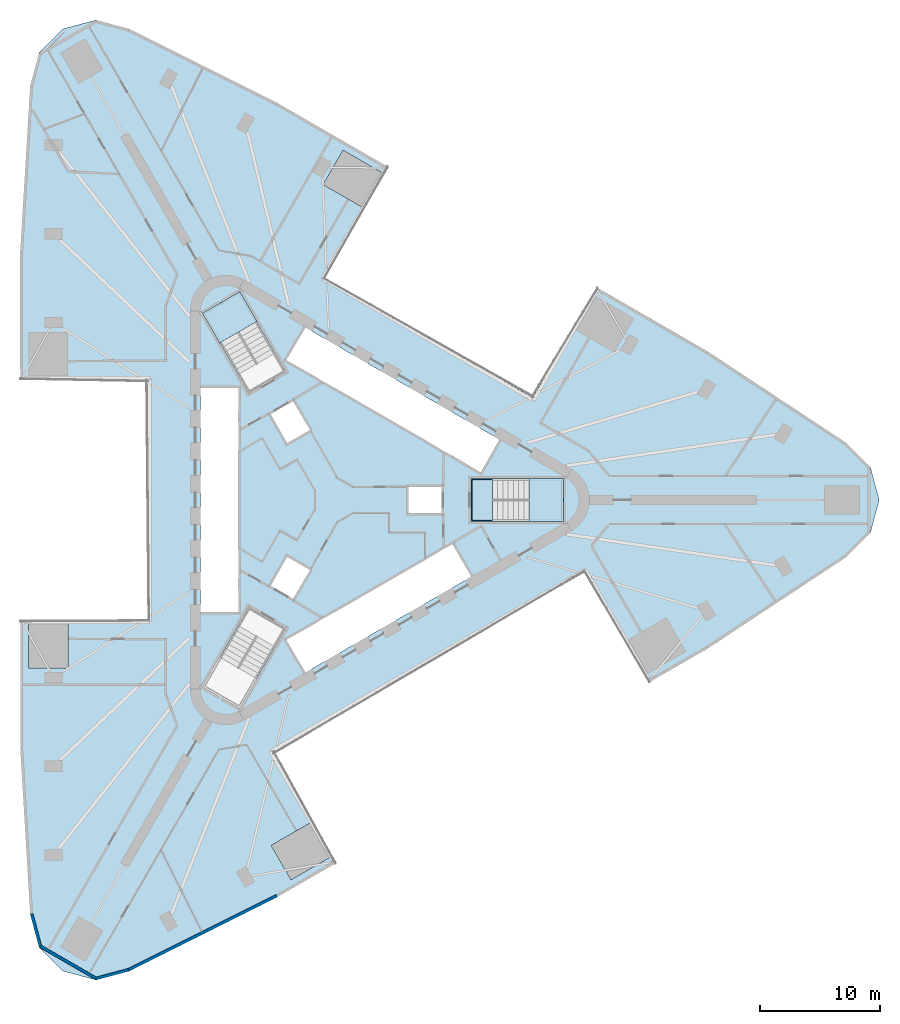
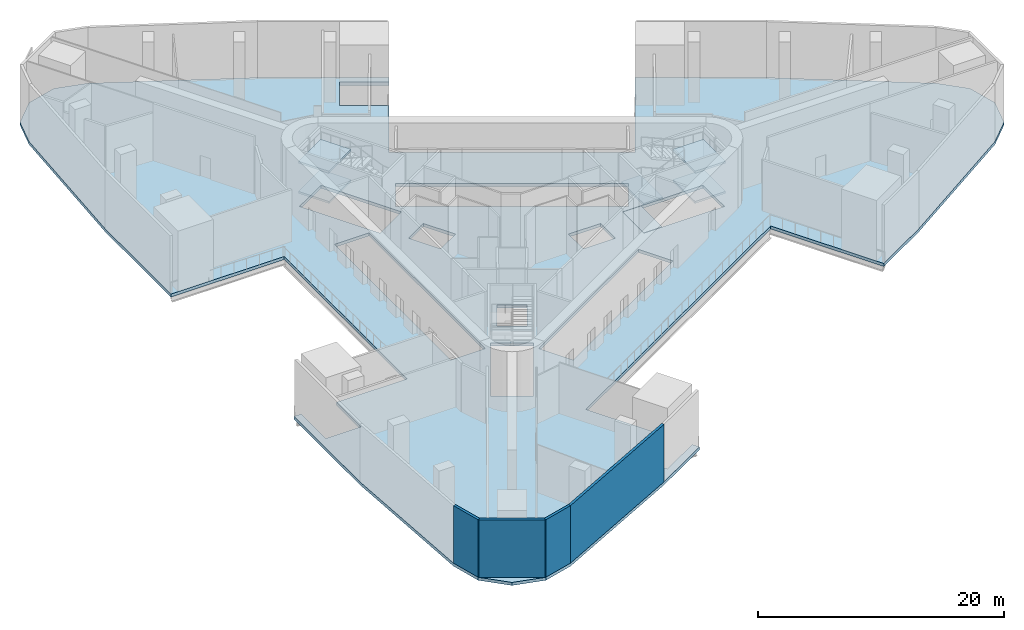
# One storey, part 2 of 11: 7 slabs, 4 walls, 2 elements without a shape of their own.
"""IFC4 building model written with IfcOpenShell, lengths in metres."""

from ifc_helpers import new_model, si_unit, direction, frame, frame_2d, origin, place, context, subcontext, project, spatial, polyline, rectangle, outline, extrude, material, layer, layer_set, type_object, element, aggregate, save


model = new_model("IFC4")

# Units and contexts
model_context = context("Model", 3, precision=1e-05, world=origin(), true_north=direction((0.0, 1.0)))
body_context = subcontext(model_context, "Body", "Model", "MODEL_VIEW")
ifc_project = project(units=[si_unit("LENGTHUNIT", "METRE"), si_unit("AREAUNIT", "SQUARE_METRE"), si_unit("VOLUMEUNIT", "CUBIC_METRE"), si_unit("PLANEANGLEUNIT", "RADIAN"), si_unit("MASSUNIT", "GRAM", prefix="KILO")], contexts=[model_context])

# Site, building, storey
site_placement = place(None, origin())
site = spatial("IfcSite", under=ifc_project, at=site_placement, CompositionType="ELEMENT")
building_placement = place(site_placement, origin())
building = spatial("IfcBuilding", under=site, at=building_placement, Name="Tanit Gate Tower", CompositionType="ELEMENT")
storey_placement = place(building_placement, frame((0.0, 0.0, 27.5)))
storey = spatial("IfcBuildingStorey", under=building, at=storey_placement, Name="L04", CompositionType="ELEMENT", Elevation=27.5)

# Stair, slabs
ifc_material_1 = material(Name="Concrete C40/50", Category="concrete")
stair_type = type_object("IfcStairType", Name="INT-STAIR-EXIT", PredefinedType="HALF_TURN_STAIR", material=ifc_material_1)
stair_1_placement = place(storey_placement, origin())
stair_1 = element("IfcStair", 1, at=stair_1_placement, inside=storey, type_object=stair_type, Name="L04 STAIR S1", PredefinedType="HALF_TURN_STAIR")
ifc_material_2 = material(Name="Concrete C40/50", Category="concrete")
ifc_layer_1 = layer(ifc_material_2, 0.199951171875)
ifc_layer_set_1 = layer_set([ifc_layer_1], Name="INT-STAIR-LANDING")
slab_type_1 = type_object("IfcSlabType", Name="INT-STAIR-LANDING", PredefinedType="LANDING", material=ifc_layer_set_1)
slab_1_placement = place(storey_placement, frame((0.0, 0.0, 1.300048828125)))
slab_1 = element("IfcSlab", 2, at=slab_1_placement, type_object=slab_type_1, Name="S1 landing 1", PredefinedType="LANDING", context=body_context, shape_type="SweptSolid", body=[
    extrude(outline(polyline([(16.135986328125, -1.800048828125), (19.0, -1.800048828125), (19.0, 1.800048828125), (16.135986328125, 1.800048828125), (16.135986328125, -1.800048828125)])), origin(), (0.0, 0.0, 1.0), 0.199951171875),
])
slab_2_placement = place(storey_placement, frame((0.0, 0.0, 2.800048828125)))
slab_2 = element("IfcSlab", 3, at=slab_2_placement, type_object=slab_type_1, Name="S1 landing 2", PredefinedType="LANDING", context=body_context, shape_type="SweptSolid", body=[
    extrude(outline(polyline([(11.300048828125, -1.800048828125), (13.10498046875, -1.800048828125), (13.10498046875, 1.800048828125), (11.300048828125, 1.800048828125), (11.300048828125, -1.800048828125)])), origin(), (0.0, 0.0, 1.0), 0.199951171875),
])
slab_3_placement = place(storey_placement, frame((0.0, 0.0, 4.300048828125)))
slab_3 = element("IfcSlab", 4, at=slab_3_placement, type_object=slab_type_1, Name="S1 landing 3", PredefinedType="LANDING", context=body_context, shape_type="SweptSolid", body=[
    extrude(outline(polyline([(16.135986328125, -1.800048828125), (19.0, -1.800048828125), (19.0, 1.800048828125), (16.135986328125, 1.800048828125), (16.135986328125, -1.800048828125)])), origin(), (0.0, 0.0, 1.0), 0.199951171875),
])
aggregate(stair_1, [slab_1, slab_2, slab_3])

# Slab
slab_4_placement = place(storey_placement, frame((0.0, 0.0, -0.199951171875)))
element("IfcSlab", 5, at=slab_4_placement, inside=storey, type_object=slab_type_1, Name="S1 floor landing", PredefinedType="LANDING", context=body_context, shape_type="SweptSolid", body=[
    extrude(outline(polyline([(11.3798828125, -1.719970703125), (13.10498046875, -1.719970703125), (13.10498046875, 1.719970703125), (11.3798828125, 1.719970703125), (11.3798828125, -1.719970703125)])), origin(), (0.0, 0.0, 1.0), 0.199951171875),
])

# Stair, slabs
stair_2_placement = place(storey_placement, origin())
stair_2 = element("IfcStair", 6, at=stair_2_placement, inside=storey, type_object=stair_type, Name="L04 STAIR S2", PredefinedType="HALF_TURN_STAIR")
slab_5_placement = place(storey_placement, frame((0.0, 0.0, 1.300048828125)))
slab_5 = element("IfcSlab", 7, at=slab_5_placement, type_object=slab_type_1, Name="S2 landing 1", PredefinedType="LANDING", context=body_context, shape_type="SweptSolid", body=[
    extrude(outline(polyline([(-6.5078125, 14.871826171875), (-7.941162109375, 17.3544921875), (-11.058837890625, 15.554443359375), (-9.62548828125, 13.07177734375), (-6.5078125, 14.871826171875)])), origin(), (0.0, 0.0, 1.0), 0.199951171875),
])
slab_6_placement = place(storey_placement, frame((0.0, 0.0, 4.300048828125)))
slab_6 = element("IfcSlab", 8, at=slab_6_placement, type_object=slab_type_1, Name="S2 landing 3", PredefinedType="LANDING", context=body_context, shape_type="SweptSolid", body=[
    extrude(outline(polyline([(-6.5078125, 14.871826171875), (-7.941162109375, 17.3544921875), (-11.058837890625, 15.554443359375), (-9.62548828125, 13.07177734375), (-6.5078125, 14.871826171875)])), origin(), (0.0, 0.0, 1.0), 0.199951171875),
])
aggregate(stair_2, [slab_5, slab_6])

# Slab
ifc_material_3 = material(Name="Concrete C35/45", Category="concrete")
ifc_layer_2 = layer(ifc_material_3, 0.300048828125)
ifc_layer_set_2 = layer_set([ifc_layer_2], Name="PODIUM FLOOR SLAB 300 C35/45")
slab_type_2 = type_object("IfcSlabType", Name="PODIUM FLOOR SLAB 300 C35/45", PredefinedType="FLOOR", material=ifc_layer_set_2)
slab_7_placement = place(storey_placement, frame((0.0, 0.0, -0.300048828125)))
element("IfcSlab", 9, at=slab_7_placement, inside=storey, type_object=slab_type_2, Name="FLOOR SLAB L04", PredefinedType="FLOOR", context=body_context, shape_type="SweptSolid", body=[
    extrude(outline(polyline([(42.5634765625, 4.75927734375), (44.574951171875, 2.747802734375), (45.311279296875, 0.0), (44.574951171875, -2.747802734375), (42.5634765625, -4.75927734375), (31.030517578125, -12.368896484375), (26.10400390625, -15.213623046875), (20.790283203125, -6.010009765625), (-5.1904296875, -21.010009765625), (-1.86376953125, -26.77197265625), (-5.327880859375, -28.77197265625), (-3.677734375, -31.6298828125), (-0.213623046875, -29.6298828125), (0.124267578125, -30.21533203125), (-4.80224609375, -33.06005859375), (-17.16015625, -39.24072265625), (-19.907958984375, -39.97705078125), (-22.655517578125, -39.24072265625), (-24.6669921875, -37.229248046875), (-25.4033203125, -34.4814453125), (-26.22705078125, -20.68896484375), (-26.227783203125, -10.0), (-25.553466796875, -10.0), (-25.553466796875, -14.0), (-22.25341796875, -14.0), (-22.25341796875, -10.0), (-15.60009765625, -10.0), (-15.60009765625, 10.0), (-26.22900390625, 10.0), (-26.229736328125, 20.68896484375), (-25.4033203125, 34.4814453125), (-24.6669921875, 37.229248046875), (-22.655517578125, 39.24072265625), (-19.907958984375, 39.97705078125), (-17.16015625, 39.24072265625), (-4.8037109375, 33.0576171875), (4.45361328125, 27.7138671875), (4.116455078125, 27.1298828125), (0.65234375, 29.1298828125), (-0.99755859375, 26.27197265625), (2.466552734375, 24.27197265625), (-0.8603515625, 18.510009765625), (16.460205078125, 8.510009765625), (21.77490234375, 17.715087890625), (31.031982421875, 12.371337890625), (42.5634765625, 4.75927734375)]), holes=[polyline([(18.929931640625, 1.72998046875), (18.929931640625, -1.72998046875), (11.3701171875, -1.72998046875), (11.3701171875, 1.72998046875), (18.929931640625, 1.72998046875)]), polyline([(-4.208984375, 11.60986328125), (-2.583984375, 14.424560546875), (13.783935546875, 4.974609375), (12.158935546875, 2.159912109375), (-4.208984375, 11.60986328125)]), polyline([(-4.208984375, -11.60986328125), (9.82080078125, -3.510009765625), (11.44580078125, -6.324462890625), (-2.583984375, -14.424560546875), (-4.208984375, -11.60986328125)]), polyline([(9.0, 1.199951171875), (9.0, -1.199951171875), (6.0, -1.199951171875), (6.0, 1.199951171875), (9.0, 1.199951171875)]), polyline([(-5.539306640625, 7.194091796875), (-3.460693359375, 8.394287109375), (-1.960693359375, 5.796142578125), (-4.039306640625, 4.59619140625), (-5.539306640625, 7.194091796875)]), polyline([(-3.460693359375, -8.394287109375), (-5.539306640625, -7.194091796875), (-4.039306640625, -4.59619140625), (-1.960693359375, -5.796142578125), (-3.460693359375, -8.394287109375)]), polyline([(-7.18310546875, 8.981689453125), (-10.963134765625, 15.52880859375), (-7.966796875, 17.2587890625), (-4.186767578125, 10.711669921875), (-7.18310546875, 8.981689453125)]), polyline([(-4.186767578125, -10.711669921875), (-7.966796875, -17.2587890625), (-10.963134765625, -15.52880859375), (-7.18310546875, -8.981689453125), (-4.186767578125, -10.711669921875)]), polyline([(-11.199951171875, -9.449951171875), (-11.199951171875, 9.449951171875), (-7.949951171875, 9.449951171875), (-7.949951171875, -9.449951171875), (-11.199951171875, -9.449951171875)])]), origin(), (0.0, 0.0, 1.0), 0.300048828125),
])

# Walls
ifc_material_4 = material(Name="Concrete C30/37 with bronze anodised aluminium cladding", Category="concrete")
ifc_layer_3 = layer(ifc_material_4, 0.239990234375)
ifc_layer_set_3 = layer_set([ifc_layer_3], Name="Facade wall bronze clad 240")
wall_type = type_object("IfcWallType", Name="Facade wall bronze clad 240", PredefinedType="SOLIDWALL", material=ifc_layer_set_3)
wall_1_placement = place(storey_placement, frame((-25.284423828125, -34.462158203125, 0.0), z_axis=(0.0, 0.0, 1.0), x_axis=(0.258850842196, -0.965917305723, 0.0)))
element("IfcWall", 10, at=wall_1_placement, inside=storey, type_object=wall_type, Name="Bronze-clad facade wall L04 SW.arc1", PredefinedType="SOLIDWALL", context=body_context, shape_type="SweptSolid", body=[
    extrude(rectangle(XDim=2.80029296875, YDim=0.239990234375, at=frame_2d((1.400146484375, 0.0))), origin(), (0.0, 0.0, 1.0), 5.699951171875),
])
wall_2_placement = place(storey_placement, frame((-24.5595703125, -37.1669921875, 0.0), z_axis=(0.0, 0.0, 1.0), x_axis=(0.866010734295, -0.500025407441, 0.0)))
element("IfcWall", 11, at=wall_2_placement, inside=storey, type_object=wall_type, Name="Bronze-clad facade wall L04 SW.arc2", PredefinedType="SOLIDWALL", context=body_context, shape_type="SweptSolid", body=[
    extrude(rectangle(XDim=5.371337890625, YDim=0.239990234375, at=frame_2d((2.685546875, 0.0))), origin(), (0.0, 0.0, 1.0), 5.699951171875),
])
wall_3_placement = place(storey_placement, frame((-19.907958984375, -39.852783203125, 0.0), z_axis=(0.0, 0.0, 1.0), x_axis=(0.965923146675, 0.25882904535, 0.0)))
element("IfcWall", 12, at=wall_3_placement, inside=storey, type_object=wall_type, Name="Bronze-clad facade wall L04 SW.arc3", PredefinedType="SOLIDWALL", context=body_context, shape_type="SweptSolid", body=[
    extrude(rectangle(XDim=2.800537109375, YDim=0.239990234375, at=frame_2d((1.400390625, 0.0))), origin(), (0.0, 0.0, 1.0), 5.699951171875),
])
wall_4_placement = place(storey_placement, frame((-17.202880859375, -39.1279296875, 0.0), z_axis=(0.0, 0.0, 1.0), x_axis=(0.894377655106, 0.447312653573, 0.0)))
element("IfcWall", 13, at=wall_4_placement, inside=storey, type_object=wall_type, Name="Bronze-clad facade wall L04 SE1", PredefinedType="SOLIDWALL", context=body_context, shape_type="SweptSolid", body=[
    extrude(rectangle(XDim=13.801513671875, YDim=0.239990234375, at=frame_2d((6.90087890625, 0.0))), origin(), (0.0, 0.0, 1.0), 5.699951171875),
])

save(model, "model.ifc")
